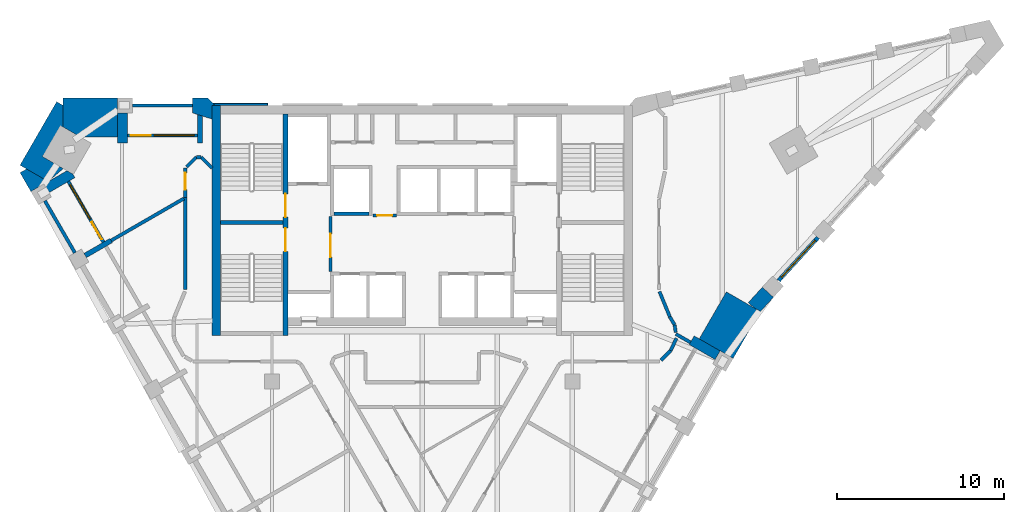
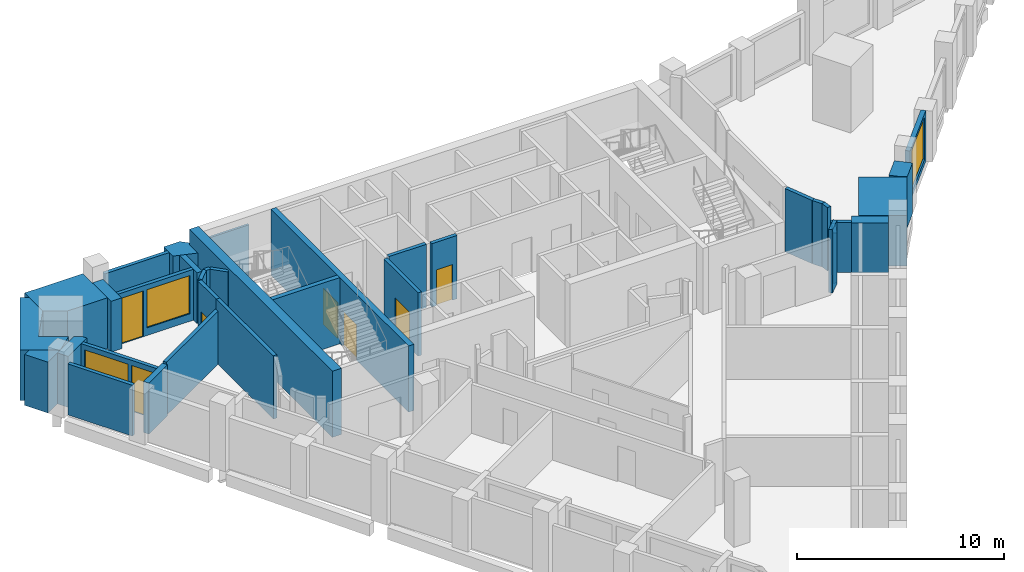
# One storey, part 5 of 8: 35 walls, 7 doors, 3 windows, 10 openings.
"""IFC4 building model written with IfcOpenShell, lengths in metres."""

from ifc_helpers import new_model, si_unit, direction, frame, frame_2d, origin, place, context, subcontext, project, spatial, polyline, rectangle, outline, extrude, material, layer, layer_set, type_object, element, fill, save


model = new_model("IFC4")

# Units and contexts
model_context = context("Model", 3, precision=1e-05, world=origin(), true_north=direction((0.0, 1.0)))
body_context = subcontext(model_context, "Body", "Model", "MODEL_VIEW")
ifc_project = project(units=[si_unit("LENGTHUNIT", "METRE"), si_unit("AREAUNIT", "SQUARE_METRE"), si_unit("VOLUMEUNIT", "CUBIC_METRE"), si_unit("PLANEANGLEUNIT", "RADIAN"), si_unit("MASSUNIT", "GRAM", prefix="KILO")], contexts=[model_context])

# Site, building, storey
site_placement = place(None, origin())
site = spatial("IfcSite", under=ifc_project, at=site_placement, CompositionType="ELEMENT")
building_placement = place(site_placement, origin())
building = spatial("IfcBuilding", under=site, at=building_placement, Name="Calabash Gate Tower", CompositionType="ELEMENT")
storey_placement = place(building_placement, frame((0.0, 0.0, 275.5)))
storey = spatial("IfcBuildingStorey", under=building, at=storey_placement, Name="L66", CompositionType="ELEMENT", Elevation=275.5)

# Walls
ifc_material_1 = material(Name="Terracotta brick masonry, exposed face", Category="masonry")
ifc_layer_1 = layer(ifc_material_1, 2.35009765625)
ifc_layer_set_1 = layer_set([ifc_layer_1], Name="Brick corner mass wall 2350")
wall_type_1 = type_object("IfcWallType", Name="Brick corner mass wall 2350", PredefinedType="SOLIDWALL", material=ifc_layer_set_1)
wall_1_placement = place(storey_placement, origin())
element("IfcWall", 1, at=wall_1_placement, inside=storey, type_object=wall_type_1, Name="Brick corner pier S19 2", PredefinedType="SOLIDWALL", context=body_context, shape_type="SweptSolid", body=[
    extrude(outline(polyline([(18.236083984375, 7.878173828125), (16.609375, 5.06103515625), (18.644775390625, 3.885986328125), (20.271240234375, 6.703125), (18.236083984375, 7.878173828125)])), origin(), (0.0, 0.0, 1.0), 2.9736328125),
])
wall_2_placement = place(storey_placement, origin())
element("IfcWall", 2, at=wall_2_placement, inside=storey, type_object=wall_type_1, Name="Brick corner pier S19 3a", PredefinedType="SOLIDWALL", context=body_context, shape_type="SweptSolid", body=[
    extrude(outline(polyline([(-20.48193359375, 17.152587890625), (-18.271484375, 17.152587890625), (-18.271484375, 18.60302734375), (-18.27197265625, 18.60302734375), (-18.27197265625, 19.50244140625), (-21.524658203125, 19.50244140625), (-21.524658203125, 17.754638671875), (-20.48193359375, 17.152587890625)])), origin(), (0.0, 0.0, 1.0), 3.0),
])
wall_3_placement = place(storey_placement, origin())
element("IfcWall", 3, at=wall_3_placement, inside=storey, type_object=wall_type_1, Name="Brick corner pier S19 3b", PredefinedType="SOLIDWALL", context=body_context, shape_type="SweptSolid", body=[
    extrude(outline(polyline([(-22.7744140625, 15.993408203125), (-21.524658203125, 17.754638671875), (-21.524658203125, 19.052490234375), (-21.914306640625, 19.277587890625), (-24.113037109375, 15.46923828125), (-22.419189453125, 14.4912109375), (-21.51611328125, 15.26708984375), (-22.7744140625, 15.993408203125)])), origin(), (0.0, 0.0, 1.0), 3.0),
])
wall_4_placement = place(storey_placement, origin())
element("IfcWall", 4, at=wall_4_placement, inside=storey, type_object=wall_type_1, Name="Brick corner pier S19 3c", PredefinedType="SOLIDWALL", context=body_context, shape_type="SweptSolid", body=[
    extrude(outline(polyline([(-21.533935546875, 15.251953125), (-22.419189453125, 14.4912109375), (-23.723388671875, 15.244140625), (-24.113037109375, 15.019287109375), (-23.4609375, 13.8896484375), (-21.42578125, 15.064697265625), (-21.533935546875, 15.251953125)])), origin(), (0.0, 0.0, 1.0), 3.0),
])
ifc_material_2 = material(Name="Terracotta brick masonry, exposed face", Category="masonry")
ifc_layer_2 = layer(ifc_material_2, 0.89990234375)
ifc_layer_set_2 = layer_set([ifc_layer_2], Name="Brick end wall 900")
wall_type_2 = type_object("IfcWallType", Name="Brick end wall 900", PredefinedType="SOLIDWALL", material=ifc_layer_set_2)
wall_5_placement = place(storey_placement, origin())
element("IfcWall", 5, at=wall_5_placement, inside=storey, type_object=wall_type_2, Name="Brick pier S19 N6.5", PredefinedType="SOLIDWALL", context=body_context, shape_type="SweptSolid", body=[
    extrude(outline(polyline([(-12.41162109375, 19.052490234375), (-12.87158203125, 19.50244140625), (-13.771484375, 19.50244140625), (-13.771484375, 18.6025390625), (-12.60009765625, 18.23193359375), (-12.60009765625, 19.052490234375), (-12.41162109375, 19.052490234375)])), origin(), (0.0, 0.0, 1.0), 3.0),
])
wall_6_placement = place(storey_placement, origin())
element("IfcWall", 6, at=wall_6_placement, inside=storey, type_object=wall_type_2, Name="Brick end wall S19 1", PredefinedType="SOLIDWALL", context=body_context, shape_type="SweptSolid", body=[
    extrude(outline(polyline([(20.394775390625, 8.15625), (19.54931640625, 7.23193359375), (19.88134765625, 6.92822265625), (20.271240234375, 6.703125), (20.24658203125, 6.66064453125), (21.058837890625, 7.548828125), (20.394775390625, 8.15625)])), origin(), (0.0, 0.0, 1.0), 3.0),
])
ifc_material_3 = material(Name="Terracotta brick masonry, exposed face", Category="masonry")
ifc_layer_3 = layer(ifc_material_3, 0.300048828125)
ifc_layer_set_3 = layer_set([ifc_layer_3], Name="Brick loggia cheek wall 300")
wall_type_3 = type_object("IfcWallType", Name="Brick loggia cheek wall 300", PredefinedType="SOLIDWALL", material=ifc_layer_set_3)
wall_7_placement = place(storey_placement, origin())
element("IfcWall", 7, at=wall_7_placement, inside=storey, type_object=wall_type_3, Name="Loggia cheek S19 SW0.0", PredefinedType="SOLIDWALL", context=body_context, shape_type="SweptSolid", body=[
    extrude(outline(polyline([(-21.295654296875, 15.1396484375), (-22.680419921875, 14.34033203125), (-22.38037109375, 13.820556640625), (-20.82275390625, 14.719970703125), (-20.94970703125, 14.93994140625), (-21.295654296875, 15.1396484375)])), origin(), (0.0, 0.0, 1.0), 3.0),
])
wall_8_placement = place(storey_placement, frame((-20.20654296875, 10.052734375, 0.0), z_axis=(0.0, 0.0, 1.0), x_axis=(0.865989075817, 0.500062916607, 0.0)))
element("IfcWall", 8, at=wall_8_placement, inside=storey, type_object=wall_type_3, Name="Loggia cheek S19 SW0.1", PredefinedType="SOLIDWALL", context=body_context, shape_type="SweptSolid", body=[
    extrude(rectangle(XDim=1.800048828125, YDim=0.300048828125, at=frame_2d((0.89990234375, 0.0))), origin(), (0.0, 0.0, 1.0), 3.0),
])
wall_9_placement = place(storey_placement, frame((17.71533203125, 4.076171875, 0.0), z_axis=(0.0, 0.0, 1.0), x_axis=(-0.866047807691, 0.499961193289, 0.0)))
element("IfcWall", 9, at=wall_9_placement, inside=storey, type_object=wall_type_3, Name="Loggia cheek S19 SE2.6", PredefinedType="SOLIDWALL", context=body_context, shape_type="SweptSolid", body=[
    extrude(rectangle(XDim=1.800048828125, YDim=0.60009765625, at=frame_2d((0.89990234375, 0.0))), origin(), (0.0, 0.0, 1.0), 2.9501953125),
])
wall_10_placement = place(storey_placement, origin())
element("IfcWall", 10, at=wall_10_placement, inside=storey, type_object=wall_type_3, Name="Loggia cheek S19 N6.5", PredefinedType="SOLIDWALL", context=body_context, shape_type="SweptSolid", body=[
    extrude(outline(polyline([(-13.4716796875, 16.802490234375), (-13.171630859375, 16.802490234375), (-13.171630859375, 18.412841796875), (-13.4716796875, 18.507568359375), (-13.4716796875, 17.152587890625), (-13.4716796875, 16.802490234375)])), origin(), (0.0, 0.0, 1.0), 3.0),
])
wall_11_placement = place(storey_placement, origin())
element("IfcWall", 11, at=wall_11_placement, inside=storey, type_object=wall_type_3, Name="Loggia cheek S19 N6.6", PredefinedType="SOLIDWALL", context=body_context, shape_type="SweptSolid", body=[
    extrude(outline(polyline([(-18.271484375, 18.6025390625), (-18.271484375, 16.802490234375), (-17.671630859375, 16.802490234375), (-17.671630859375, 18.6025390625), (-18.271484375, 18.6025390625)])), origin(), (0.0, 0.0, 1.0), 3.0),
])
ifc_material_4 = material(Name="Concrete C60/75", Category="concrete")
ifc_layer_4 = layer(ifc_material_4, 0.25)
ifc_layer_set_4 = layer_set([ifc_layer_4], Name="Core wall 250 Concrete C60/75")
wall_type_4 = type_object("IfcWallType", Name="Core wall 250 Concrete C60/75", PredefinedType="SHEAR", material=ifc_layer_set_4)
wall_12_placement = place(storey_placement, frame((-12.10009765625, 12.027587890625, 0.0), z_axis=(0.0, 0.0, 1.0), x_axis=(1.0, 0.0, 0.0)))
element("IfcWall", 12, at=wall_12_placement, inside=storey, type_object=wall_type_4, Name="Core wall Z5-MIDW L66", PredefinedType="SHEAR", context=body_context, shape_type="SweptSolid", body=[
    extrude(rectangle(XDim=3.75, YDim=0.25, at=frame_2d((1.875, 0.0))), origin(), (0.0, 0.0, 1.0), 3.89990234375),
])

# Wall, openings, doors
ifc_material_5 = material(Name="Concrete C60/75", Category="concrete")
ifc_layer_5 = layer(ifc_material_5, 0.300048828125)
ifc_layer_set_5 = layer_set([ifc_layer_5], Name="Core wall 300 Concrete C60/75")
wall_type_5 = type_object("IfcWallType", Name="Core wall 300 Concrete C60/75", PredefinedType="SHEAR", material=ifc_layer_set_5)
wall_13_placement = place(storey_placement, frame((-8.199951171875, 5.252685546875, 0.0), z_axis=(0.0, 0.0, 1.0), x_axis=(0.0, 1.0, 0.0)))
wall_13 = element("IfcWall", 13, at=wall_13_placement, inside=storey, type_object=wall_type_5, Name="Core wall Z5-PARTW L66", PredefinedType="SHEAR", context=body_context, shape_type="SweptSolid", body=[
    extrude(rectangle(XDim=13.2998046875, YDim=0.300048828125, at=frame_2d((6.64990234375, 0.0))), origin(), (0.0, 0.0, 1.0), 3.89990234375),
])
opening_1_placement = place(wall_13_placement, frame((7.10009765625, 0.0, 0.0)))
opening_1 = element("IfcOpeningElement", 14, at=opening_1_placement, cuts=wall_13, Name="Opening O11-010", PredefinedType="OPENING", context=body_context, shape_type="SweptSolid", body=[
    extrude(rectangle(XDim=1.39990234375, YDim=2.10009765625, at=frame_2d((0.699951171875, 1.050048828125))), frame((0.0, 0.159912109375, 0.0), z_axis=(0.0, -1.0, 0.0), x_axis=(1.0, 0.0, 0.0)), (0.0, 0.0, 1.0), 0.320068359375),
])
opening_2_placement = place(wall_13_placement, frame((5.050048828125, 0.0, 0.0)))
opening_2 = element("IfcOpeningElement", 15, at=opening_2_placement, cuts=wall_13, Name="Opening O11-011", PredefinedType="OPENING", context=body_context, shape_type="SweptSolid", body=[
    extrude(rectangle(XDim=1.39990234375, YDim=2.10009765625, at=frame_2d((0.699951171875, 1.050048828125))), frame((0.0, 0.159912109375, 0.0), z_axis=(0.0, -1.0, 0.0), x_axis=(1.0, 0.0, 0.0)), (0.0, 0.0, 1.0), 0.320068359375),
])
ifc_material_6 = material(Name="Steel fire door set with fire-resisting glazing", Category="steel")
door_type_1 = type_object("IfcDoorType", Name="Fire door D05 1400x2100 FD90", OperationType="NOTDEFINED", PredefinedType="DOOR", material=ifc_material_6)
door_1_placement = place(opening_1_placement, origin())
door_1 = element("IfcDoor", 16, at=door_1_placement, inside=storey, type_object=door_type_1, Name="Exit stair door ST1", OperationType="SINGLE_SWING_LEFT", OverallHeight=2.10009765625, OverallWidth=1.39990234375, PredefinedType="DOOR", context=body_context, shape_type="SweptSolid", body=[
    extrude(rectangle(XDim=1.39990234375, YDim=2.10009765625, at=frame_2d((0.699951171875, 1.050048828125))), frame((0.0, 0.02490234375, 0.0), z_axis=(0.0, -1.0, 0.0), x_axis=(1.0, 0.0, 0.0)), (0.0, 0.0, 1.0), 0.050048828125),
])
fill(opening_1, door_1)
door_2_placement = place(opening_2_placement, origin())
door_2 = element("IfcDoor", 17, at=door_2_placement, inside=storey, type_object=door_type_1, Name="Exit stair door ST2", OperationType="SINGLE_SWING_LEFT", OverallHeight=2.10009765625, OverallWidth=1.39990234375, PredefinedType="DOOR", context=body_context, shape_type="SweptSolid", body=[
    extrude(rectangle(XDim=1.39990234375, YDim=2.10009765625, at=frame_2d((0.699951171875, 1.050048828125))), frame((0.0, 0.02490234375, 0.0), z_axis=(0.0, -1.0, 0.0), x_axis=(1.0, 0.0, 0.0)), (0.0, 0.0, 1.0), 0.050048828125),
])
fill(opening_2, door_2)

# Walls
ifc_material_7 = material(Name="Concrete C60/75", Category="concrete")
ifc_layer_6 = layer(ifc_material_7, 0.5)
ifc_layer_set_6 = layer_set([ifc_layer_6], Name="Core wall 500 Concrete C60/75")
wall_type_6 = type_object("IfcWallType", Name="Core wall 500 Concrete C60/75", PredefinedType="SHEAR", material=ifc_layer_set_6)
wall_14_placement = place(storey_placement, frame((-12.35009765625, 5.252685546875, 0.0), z_axis=(0.0, 0.0, 1.0), x_axis=(0.0, 1.0, 0.0)))
element("IfcWall", 18, at=wall_14_placement, inside=storey, type_object=wall_type_6, Name="Core wall Z5-COLW L66", PredefinedType="SHEAR", context=body_context, shape_type="SweptSolid", body=[
    extrude(rectangle(XDim=13.7998046875, YDim=0.5, at=frame_2d((6.89990234375, 0.0))), origin(), (0.0, 0.0, 1.0), 3.89990234375),
])
ifc_material_8 = material(Name="Gypsum board on steel studs, mineral wool", Category="steel")
ifc_layer_7 = layer(ifc_material_8, 0.199951171875)
ifc_layer_set_7 = layer_set([ifc_layer_7], Name="Partition 200 gypsum board EI 60")
wall_type_7 = type_object("IfcWallType", Name="Partition 200 gypsum board EI 60", PredefinedType="PARTITIONING", material=ifc_layer_set_7)
wall_15_placement = place(storey_placement, frame((14.310791015625, 3.770263671875, 0.0), z_axis=(0.0, 0.0, 1.0), x_axis=(0.707106781187, 0.707106781187, 0.0)))
element("IfcWall", 19, at=wall_15_placement, inside=storey, type_object=wall_type_7, Name="Partition", PredefinedType="PARTITIONING", context=body_context, shape_type="SweptSolid", body=[
    extrude(rectangle(XDim=0.833740234375, YDim=0.199951171875, at=frame_2d((0.4169921875, 0.0))), origin(), (0.0, 0.0, 1.0), 3.72998046875),
])
wall_16_placement = place(storey_placement, frame((15.208740234375, 5.347900390625, 0.0), z_axis=(0.0, 0.0, 1.0), x_axis=(0.866911543868, -0.498462009695, 0.0)))
element("IfcWall", 20, at=wall_16_placement, inside=storey, type_object=wall_type_7, Name="Partition", PredefinedType="PARTITIONING", context=body_context, shape_type="SweptSolid", body=[
    extrude(rectangle(XDim=1.006591796875, YDim=0.199951171875, at=frame_2d((0.50341796875, 0.0))), origin(), (0.0, 0.0, 1.0), 2.9501953125),
])
wall_17_placement = place(storey_placement, frame((14.900390625, 4.35986328125, 0.0), z_axis=(0.0, 0.0, 1.0), x_axis=(0.423249280481, 0.906013270638, 0.0)))
element("IfcWall", 21, at=wall_17_placement, inside=storey, type_object=wall_type_7, Name="Partition", PredefinedType="PARTITIONING", context=body_context, shape_type="SweptSolid", body=[
    extrude(rectangle(XDim=0.80810546875, YDim=0.199951171875, at=frame_2d((0.404052734375, 0.0))), origin(), (0.0, 0.0, 1.0), 2.9501953125),
])
wall_18_placement = place(storey_placement, frame((15.137451171875, 5.88916015625, 0.0), z_axis=(0.0, 0.0, 1.0), x_axis=(0.133422383108, -0.991059265476, 0.0)))
element("IfcWall", 22, at=wall_18_placement, inside=storey, type_object=wall_type_7, Name="Partition", PredefinedType="PARTITIONING", context=body_context, shape_type="SweptSolid", body=[
    extrude(rectangle(XDim=0.444580078125, YDim=0.199951171875, at=frame_2d((0.22216796875, 0.0))), origin(), (0.0, 0.0, 1.0), 3.72998046875),
])
wall_19_placement = place(storey_placement, frame((14.8505859375, 6.37353515625, 0.0), z_axis=(0.0, 0.0, 1.0), x_axis=(0.509576505793, -0.860425351058, 0.0)))
element("IfcWall", 23, at=wall_19_placement, inside=storey, type_object=wall_type_7, Name="Partition", PredefinedType="PARTITIONING", context=body_context, shape_type="SweptSolid", body=[
    extrude(rectangle(XDim=0.56298828125, YDim=0.199951171875, at=frame_2d((0.281494140625, 0.0))), origin(), (0.0, 0.0, 1.0), 3.72998046875),
])
wall_20_placement = place(storey_placement, frame((14.22509765625, 7.892822265625, 0.0), z_axis=(0.0, 0.0, 1.0), x_axis=(0.380697489052, -0.924699638709, 0.0)))
element("IfcWall", 24, at=wall_20_placement, inside=storey, type_object=wall_type_7, Name="Partition", PredefinedType="PARTITIONING", context=body_context, shape_type="SweptSolid", body=[
    extrude(rectangle(XDim=1.64306640625, YDim=0.199951171875, at=frame_2d((0.821533203125, 0.0))), origin(), (0.0, 0.0, 1.0), 3.72998046875),
])
wall_21_placement = place(storey_placement, frame((-14.201904296875, 13.51953125, 0.0), z_axis=(0.0, 0.0, 1.0), x_axis=(0.000266228859, -0.999999964561, 0.0)))
element("IfcWall", 25, at=wall_21_placement, inside=storey, type_object=wall_type_7, Name="Partition", PredefinedType="PARTITIONING", context=body_context, shape_type="SweptSolid", body=[
    extrude(rectangle(XDim=5.502197265625, YDim=0.199951171875, at=frame_2d((2.7509765625, 0.0))), origin(), (0.0, 0.0, 1.0), 3.72998046875),
])
wall_22_placement = place(storey_placement, frame((-18.647705078125, 10.952880859375, 0.0), z_axis=(0.0, 0.0, 1.0), x_axis=(0.866005524168, 0.500034430925, 0.0)))
element("IfcWall", 26, at=wall_22_placement, inside=storey, type_object=wall_type_7, Name="Partition", PredefinedType="PARTITIONING", context=body_context, shape_type="SweptSolid", body=[
    extrude(rectangle(XDim=5.035400390625, YDim=0.199951171875, at=frame_2d((2.517578125, 0.0))), origin(), (0.0, 0.0, 1.0), 3.1279296875),
])

# Wall, opening, door
wall_23_placement = place(storey_placement, frame((-14.200439453125, 13.5205078125, 0.0), z_axis=(0.0, 0.0, 1.0), x_axis=(0.0, 1.0, 0.0)))
wall_23 = element("IfcWall", 27, at=wall_23_placement, inside=storey, type_object=wall_type_7, Name="Partition", PredefinedType="PARTITIONING", context=body_context, shape_type="SweptSolid", body=[
    extrude(rectangle(XDim=1.7724609375, YDim=0.199951171875, at=frame_2d((0.88623046875, 0.0))), origin(), (0.0, 0.0, 1.0), 3.72998046875),
])
opening_3_placement = place(wall_23_placement, frame((0.485107421875, 0.0, 0.0)))
opening_3 = element("IfcOpeningElement", 28, at=opening_3_placement, cuts=wall_23, Name="Opening 65-66-006", PredefinedType="OPENING", context=body_context, shape_type="SweptSolid", body=[
    extrude(rectangle(XDim=1.0, YDim=2.10009765625, at=frame_2d((0.5, 1.050048828125))), frame((0.0, 0.10986328125, 0.0), z_axis=(0.0, -1.0, 0.0), x_axis=(1.0, 0.0, 0.0)), (0.0, 0.0, 1.0), 0.219970703125),
])
ifc_material_9 = material(Name="Steel fire door set with fire-resisting glazing", Category="steel")
door_type_2 = type_object("IfcDoorType", Name="LD2 Meeting room door 1000x2100", OperationType="NOTDEFINED", PredefinedType="DOOR", material=ifc_material_9)
door_3_placement = place(opening_3_placement, origin())
door_3 = element("IfcDoor", 29, at=door_3_placement, inside=storey, type_object=door_type_2, Name="Meeting room door", OperationType="SINGLE_SWING_LEFT", OverallHeight=2.10009765625, OverallWidth=1.0, PredefinedType="DOOR", context=body_context, shape_type="SweptSolid", body=[
    extrude(rectangle(XDim=1.0, YDim=2.10009765625, at=frame_2d((0.5, 1.050048828125))), frame((0.0, 0.02490234375, 0.0), z_axis=(0.0, -1.0, 0.0), x_axis=(1.0, 0.0, 0.0)), (0.0, 0.0, 1.0), 0.050048828125),
])
fill(opening_3, door_3)

# Walls
wall_24_placement = place(storey_placement, frame((-14.129638671875, 15.363525390625, 0.0), z_axis=(0.0, 0.0, 1.0), x_axis=(0.707106781187, 0.707106781187, 0.0)))
element("IfcWall", 30, at=wall_24_placement, inside=storey, type_object=wall_type_7, Name="Partition", PredefinedType="PARTITIONING", context=body_context, shape_type="SweptSolid", body=[
    extrude(rectangle(XDim=0.833740234375, YDim=0.199951171875, at=frame_2d((0.4169921875, 0.0))), origin(), (0.0, 0.0, 1.0), 3.72998046875),
])
wall_25_placement = place(storey_placement, frame((-13.5400390625, 15.953125, 0.0), z_axis=(0.0, 0.0, 1.0), x_axis=(0.99999962061, -0.000871079809, 0.0)))
element("IfcWall", 31, at=wall_25_placement, inside=storey, type_object=wall_type_7, Name="Partition", PredefinedType="PARTITIONING", context=body_context, shape_type="SweptSolid", body=[
    extrude(rectangle(XDim=0.2802734375, YDim=0.199951171875, at=frame_2d((0.14013671875, 0.0))), origin(), (0.0, 0.0, 1.0), 3.72998046875),
])
wall_26_placement = place(storey_placement, frame((-13.259765625, 15.952880859375, 0.0), z_axis=(0.0, 0.0, 1.0), x_axis=(0.708285399161, -0.705926195389, 0.0)))
element("IfcWall", 32, at=wall_26_placement, inside=storey, type_object=wall_type_7, Name="Partition", PredefinedType="PARTITIONING", context=body_context, shape_type="SweptSolid", body=[
    extrude(rectangle(XDim=0.931396484375, YDim=0.199951171875, at=frame_2d((0.4658203125, 0.0))), origin(), (0.0, 0.0, 1.0), 3.72998046875),
])

# Wall, opening, window
ifc_material_10 = material(Name="Aluminium framed window wall with insulated spandrel", Category="aluminium")
ifc_layer_8 = layer(ifc_material_10, 0.25)
ifc_layer_set_8 = layer_set([ifc_layer_8], Name="Prow window wall 250")
wall_type_8 = type_object("IfcWallType", Name="Prow window wall 250", PredefinedType="ELEMENTEDWALL", material=ifc_layer_set_8)
wall_27_placement = place(storey_placement, frame((21.367919921875, 8.5537109375, 0.0), z_axis=(0.0, 0.0, 1.0), x_axis=(0.67487449122, 0.737932531537, 0.0)))
wall_27 = element("IfcWall", 33, at=wall_27_placement, inside=storey, type_object=wall_type_8, Name="Prow window wall S19 wedge3.1", PredefinedType="ELEMENTEDWALL", context=body_context, shape_type="SweptSolid", body=[
    extrude(rectangle(XDim=3.5, YDim=0.25, at=frame_2d((1.75, 0.0))), origin(), (0.0, 0.0, 1.0), 3.0),
])
opening_4_placement = place(wall_27_placement, frame((0.25, 0.0, 0.300048828125)))
opening_4 = element("IfcOpeningElement", 34, at=opening_4_placement, cuts=wall_27, Name="Opening WP2", PredefinedType="OPENING", context=body_context, shape_type="SweptSolid", body=[
    extrude(rectangle(XDim=3.0, YDim=2.5, at=frame_2d((1.5, 1.25))), frame((0.0, 0.135009765625, 0.0), z_axis=(0.0, -1.0, 0.0), x_axis=(1.0, 0.0, 0.0)), (0.0, 0.0, 1.0), 0.27001953125),
])
ifc_material_11 = material(Name="Anodised aluminium frame, bronze finish, impact-rated laminated clear glazing", Category="aluminium")
window_type_1 = type_object("IfcWindowType", Name="Window WP2 3000x2500", PartitioningType="DOUBLE_PANEL_VERTICAL", PredefinedType="WINDOW", material=ifc_material_11)
window_1_placement = place(opening_4_placement, origin())
window_1 = element("IfcWindow", 35, at=window_1_placement, inside=storey, type_object=window_type_1, Name="Prow window WP2 S19 wedge3.1", OverallHeight=2.5, OverallWidth=3.0, PartitioningType="SINGLE_PANEL", PredefinedType="WINDOW", context=body_context, shape_type="SweptSolid", body=[
    extrude(rectangle(XDim=3.0, YDim=2.5, at=frame_2d((1.5, 1.25))), frame((0.0, 0.030029296875, 0.0), z_axis=(0.0, -1.0, 0.0), x_axis=(1.0, 0.0, 0.0)), (0.0, 0.0, 1.0), 0.06005859375),
])
fill(opening_4, window_1)

# Wall, opening, door
ifc_material_12 = material(Name="Concrete C40/50", Category="concrete")
ifc_layer_9 = layer(ifc_material_12, 0.199951171875)
ifc_layer_set_9 = layer_set([ifc_layer_9], Name="Shaft wall 200 Concrete C40/50")
wall_type_9 = type_object("IfcWallType", Name="Shaft wall 200 Concrete C40/50", PredefinedType="SOLIDWALL", material=ifc_layer_set_9)
wall_28_placement = place(storey_placement, frame((-5.5, 9.1025390625, 0.0), z_axis=(0.0, 0.0, 1.0), x_axis=(0.0, 1.0, 0.0)))
wall_28 = element("IfcWall", 36, at=wall_28_placement, inside=storey, type_object=wall_type_9, Name="Shaft wall", PredefinedType="SOLIDWALL", context=body_context, shape_type="SweptSolid", body=[
    extrude(rectangle(XDim=3.300048828125, YDim=0.199951171875, at=frame_2d((1.64990234375, 0.0))), origin(), (0.0, 0.0, 1.0), 3.72998046875),
])
opening_5_placement = place(wall_28_placement, frame((0.85009765625, 0.0, 0.0)))
opening_5 = element("IfcOpeningElement", 37, at=opening_5_placement, cuts=wall_28, Name="Opening O11-003", PredefinedType="OPENING", context=body_context, shape_type="SweptSolid", body=[
    extrude(rectangle(XDim=1.39990234375, YDim=2.10009765625, at=frame_2d((0.699951171875, 1.050048828125))), frame((0.0, 0.10986328125, 0.0), z_axis=(0.0, -1.0, 0.0), x_axis=(1.0, 0.0, 0.0)), (0.0, 0.0, 1.0), 0.219970703125),
])
door_4_placement = place(opening_5_placement, origin())
door_4 = element("IfcDoor", 38, at=door_4_placement, inside=storey, type_object=door_type_1, Name="Firefighting Lobby W door", OperationType="SINGLE_SWING_RIGHT", OverallHeight=2.10009765625, OverallWidth=1.39990234375, PredefinedType="DOOR", context=body_context, shape_type="SweptSolid", body=[
    extrude(rectangle(XDim=1.39990234375, YDim=2.10009765625, at=frame_2d((0.699951171875, 1.050048828125))), frame((0.0, 0.02490234375, 0.0), z_axis=(0.0, -1.0, 0.0), x_axis=(1.0, 0.0, 0.0)), (0.0, 0.0, 1.0), 0.050048828125),
])
fill(opening_5, door_4)

wall_29_placement = place(storey_placement, frame((-2.949951171875, 12.45263671875, 0.0), z_axis=(0.0, 0.0, 1.0), x_axis=(1.0, 0.0, 0.0)))
wall_29 = element("IfcWall", 39, at=wall_29_placement, inside=storey, type_object=wall_type_9, Name="Shaft wall", PredefinedType="SOLIDWALL", context=body_context, shape_type="SweptSolid", body=[
    extrude(rectangle(XDim=1.39990234375, YDim=0.199951171875, at=frame_2d((0.699951171875, 0.0))), origin(), (0.0, 0.0, 1.0), 3.72998046875),
])
opening_6_placement = place(wall_29_placement, frame((0.25, 0.0, 0.0)))
opening_6 = element("IfcOpeningElement", 40, at=opening_6_placement, cuts=wall_29, Name="Opening O11-001", PredefinedType="OPENING", context=body_context, shape_type="SweptSolid", body=[
    extrude(rectangle(XDim=0.89990234375, YDim=2.10009765625, at=frame_2d((0.449951171875, 1.050048828125))), frame((0.0, 0.10986328125, 0.0), z_axis=(0.0, -1.0, 0.0), x_axis=(1.0, 0.0, 0.0)), (0.0, 0.0, 1.0), 0.219970703125),
])
ifc_material_13 = material(Name="Steel fire door set with fire-resisting glazing", Category="steel")
door_type_3 = type_object("IfcDoorType", Name="Fire door D06 900x2100 FD60", OperationType="NOTDEFINED", PredefinedType="DOOR", material=ifc_material_13)
door_5_placement = place(opening_6_placement, origin())
door_5 = element("IfcDoor", 41, at=door_5_placement, inside=storey, type_object=door_type_3, Name="Service Corridor door", OperationType="SINGLE_SWING_RIGHT", OverallHeight=2.10009765625, OverallWidth=0.89990234375, PredefinedType="DOOR", context=body_context, shape_type="SweptSolid", body=[
    extrude(rectangle(XDim=0.89990234375, YDim=2.10009765625, at=frame_2d((0.449951171875, 1.050048828125))), frame((0.0, 0.02490234375, 0.0), z_axis=(0.0, -1.0, 0.0), x_axis=(1.0, 0.0, 0.0)), (0.0, 0.0, 1.0), 0.050048828125),
])
fill(opening_6, door_5)

# Walls
wall_30_placement = place(storey_placement, frame((-5.300048828125, 12.552490234375, 0.0), z_axis=(0.0, 0.0, 1.0), x_axis=(1.0, 0.0, 0.0)))
element("IfcWall", 42, at=wall_30_placement, inside=storey, type_object=wall_type_9, Name="Shaft wall", PredefinedType="SOLIDWALL", context=body_context, shape_type="SweptSolid", body=[
    extrude(rectangle(XDim=2.10009765625, YDim=0.199951171875, at=frame_2d((1.050048828125, 0.0))), origin(), (0.0, 0.0, 1.0), 3.72998046875),
])
ifc_material_14 = material(Name="Terracotta brick masonry, perforated", Category="masonry")
ifc_layer_10 = layer(ifc_material_14, 0.1201171875)
ifc_layer_set_10 = layer_set([ifc_layer_10], Name="Terracotta jaali cladding A 120")
wall_type_10 = type_object("IfcWallType", Name="Terracotta jaali cladding A 120", PredefinedType="SOLIDWALL", material=ifc_layer_set_10)
wall_31_placement = place(storey_placement, origin())
element("IfcWall", 43, at=wall_31_placement, inside=storey, type_object=wall_type_10, Name="Jaali cladding S19 N6.5", PredefinedType="SOLIDWALL", context=body_context, shape_type="SweptSolid", body=[
    extrude(outline(polyline([(-12.4111328125, 19.052490234375), (-9.271484375, 19.052490234375), (-9.271484375, 19.172607421875), (-12.533447265625, 19.172607421875), (-12.4111328125, 19.052490234375)])), origin(), (0.0, 0.0, 1.0), 3.0),
])
ifc_material_15 = material(Name="Terracotta brick masonry, perforated", Category="masonry")
ifc_layer_11 = layer(ifc_material_15, 0.199951171875)
ifc_layer_set_11 = layer_set([ifc_layer_11], Name="Terracotta jaali screen A")
wall_type_11 = type_object("IfcWallType", Name="Terracotta jaali screen A", PredefinedType="SOLIDWALL", material=ifc_layer_set_11)
for number, where, z_axis, x_axis, name in (
    (44, (-22.621337890625, 13.335205078125, 0.0), (0.0, 0.0, 1.0), (0.500012057535, -0.866018442252, 0.0), "SCREEN A S19 SW0.1"),
    (45, (-13.771484375, 19.052490234375, 0.0), (0.0, 0.0, 1.0), (-1.0, 0.0, 0.0), "SCREEN A S19 N6.6"),
):
    element("IfcWall", number, at=place(storey_placement, frame(where, z_axis=z_axis, x_axis=x_axis)), inside=storey, type_object=wall_type_11, Name=name, PredefinedType="SOLIDWALL", context=body_context, shape_type="SweptSolid", body=[
        extrude(rectangle(XDim=3.60009765625, YDim=0.199951171875, at=frame_2d((1.800048828125, 0.0))), origin(), (0.0, 0.0, 1.0), 3.0),
    ])

# Wall, openings, door, window
ifc_material_16 = material(Name="Aluminium framed window wall with insulated spandrel", Category="aluminium")
ifc_layer_12 = layer(ifc_material_16, 0.199951171875)
ifc_layer_set_12 = layer_set([ifc_layer_12], Name="Window wall 200")
wall_type_12 = type_object("IfcWallType", Name="Window wall 200", PredefinedType="ELEMENTEDWALL", material=ifc_layer_set_12)
wall_32_placement = place(storey_placement, frame((-21.21240234375, 14.4951171875, 0.0), z_axis=(0.0, 0.0, 1.0), x_axis=(0.500002543286, -0.866023935413, 0.0)))
wall_32 = element("IfcWall", 46, at=wall_32_placement, inside=storey, type_object=wall_type_12, Name="Window wall S19 SW0.1", PredefinedType="ELEMENTEDWALL", context=body_context, shape_type="SweptSolid", body=[
    extrude(rectangle(XDim=4.2001953125, YDim=0.199951171875, at=frame_2d((2.10009765625, 0.0))), origin(), (0.0, 0.0, 1.0), 3.0),
])
opening_7_placement = place(wall_32_placement, frame((0.199951171875, 0.0, 0.449951171875)))
opening_7 = element("IfcOpeningElement", 47, at=opening_7_placement, cuts=wall_32, Name="Opening OW1", PredefinedType="OPENING", context=body_context, shape_type="SweptSolid", body=[
    extrude(rectangle(XDim=2.39990234375, YDim=2.25, at=frame_2d((1.199951171875, 1.125))), frame((0.0, 0.10986328125, 0.0), z_axis=(0.0, -1.0, 0.0), x_axis=(1.0, 0.0, 0.0)), (0.0, 0.0, 1.0), 0.219970703125),
])
opening_8_placement = place(wall_32_placement, frame((2.800048828125, 0.0, 0.0)))
opening_8 = element("IfcOpeningElement", 48, at=opening_8_placement, cuts=wall_32, Name="Opening O11-018", PredefinedType="OPENING", context=body_context, shape_type="SweptSolid", body=[
    extrude(rectangle(XDim=1.199951171875, YDim=2.699951171875, at=frame_2d((0.60009765625, 1.35009765625))), frame((0.0, 0.10986328125, 0.0), z_axis=(0.0, -1.0, 0.0), x_axis=(1.0, 0.0, 0.0)), (0.0, 0.0, 1.0), 0.219970703125),
])
ifc_material_17 = material(Name="Anodised aluminium frame, bronze finish, impact-rated laminated clear glazing", Category="aluminium")
door_type_4 = type_object("IfcDoorType", Name="Loggia door DO1 1200x2700", OperationType="SLIDING_TO_LEFT", PredefinedType="DOOR", material=ifc_material_17)
door_6_placement = place(opening_8_placement, origin())
door_6 = element("IfcDoor", 49, at=door_6_placement, inside=storey, type_object=door_type_4, Name="Loggia door S19 SW0.1", OperationType="SINGLE_SWING_LEFT", OverallHeight=2.699951171875, OverallWidth=1.199951171875, PredefinedType="DOOR", context=body_context, shape_type="SweptSolid", body=[
    extrude(rectangle(XDim=1.199951171875, YDim=2.699951171875, at=frame_2d((0.60009765625, 1.35009765625))), frame((0.0, 0.02490234375, 0.0), z_axis=(0.0, -1.0, 0.0), x_axis=(1.0, 0.0, 0.0)), (0.0, 0.0, 1.0), 0.050048828125),
])
fill(opening_8, door_6)
ifc_material_18 = material(Name="Anodised aluminium frame, bronze finish, impact-rated laminated clear glazing", Category="aluminium")
window_type_2 = type_object("IfcWindowType", Name="Window OW1 2400x2250", PartitioningType="DOUBLE_PANEL_VERTICAL", PredefinedType="WINDOW", material=ifc_material_18)
window_2_placement = place(opening_7_placement, origin())
window_2 = element("IfcWindow", 50, at=window_2_placement, inside=storey, type_object=window_type_2, Name="Window OW1 S19 SW0.1", OverallHeight=2.25, OverallWidth=2.39990234375, PartitioningType="SINGLE_PANEL", PredefinedType="WINDOW", context=body_context, shape_type="SweptSolid", body=[
    extrude(rectangle(XDim=2.39990234375, YDim=2.25, at=frame_2d((1.199951171875, 1.125))), frame((0.0, 0.030029296875, 0.0), z_axis=(0.0, -1.0, 0.0), x_axis=(1.0, 0.0, 0.0)), (0.0, 0.0, 1.0), 0.06005859375),
])
fill(opening_7, window_2)

wall_33_placement = place(storey_placement, frame((-13.4716796875, 17.25244140625, 0.0), z_axis=(0.0, 0.0, 1.0), x_axis=(-1.0, 0.0, 0.0)))
wall_33 = element("IfcWall", 51, at=wall_33_placement, inside=storey, type_object=wall_type_12, Name="Window wall S19 N6.6", PredefinedType="ELEMENTEDWALL", context=body_context, shape_type="SweptSolid", body=[
    extrude(rectangle(XDim=4.199951171875, YDim=0.199951171875, at=frame_2d((2.10009765625, 0.0))), origin(), (0.0, 0.0, 1.0), 3.0),
])
opening_9_placement = place(wall_33_placement, frame((0.199951171875, 0.0, 0.449951171875)))
opening_9 = element("IfcOpeningElement", 52, at=opening_9_placement, cuts=wall_33, Name="Opening OW1", PredefinedType="OPENING", context=body_context, shape_type="SweptSolid", body=[
    extrude(rectangle(XDim=2.39990234375, YDim=2.25, at=frame_2d((1.199951171875, 1.125))), frame((0.0, 0.10986328125, 0.0), z_axis=(0.0, -1.0, 0.0), x_axis=(1.0, 0.0, 0.0)), (0.0, 0.0, 1.0), 0.219970703125),
])
opening_10_placement = place(wall_33_placement, frame((2.800048828125, 0.0, 0.0)))
opening_10 = element("IfcOpeningElement", 53, at=opening_10_placement, cuts=wall_33, Name="Opening O11-014", PredefinedType="OPENING", context=body_context, shape_type="SweptSolid", body=[
    extrude(rectangle(XDim=1.199951171875, YDim=2.699951171875, at=frame_2d((0.60009765625, 1.35009765625))), frame((0.0, 0.10986328125, 0.0), z_axis=(0.0, -1.0, 0.0), x_axis=(1.0, 0.0, 0.0)), (0.0, 0.0, 1.0), 0.219970703125),
])
door_7_placement = place(opening_10_placement, origin())
door_7 = element("IfcDoor", 54, at=door_7_placement, inside=storey, type_object=door_type_4, Name="Loggia door S19 N6.6", OperationType="SINGLE_SWING_LEFT", OverallHeight=2.699951171875, OverallWidth=1.199951171875, PredefinedType="DOOR", context=body_context, shape_type="SweptSolid", body=[
    extrude(rectangle(XDim=1.199951171875, YDim=2.699951171875, at=frame_2d((0.60009765625, 1.35009765625))), frame((0.0, 0.02490234375, 0.0), z_axis=(0.0, -1.0, 0.0), x_axis=(1.0, 0.0, 0.0)), (0.0, 0.0, 1.0), 0.050048828125),
])
fill(opening_10, door_7)
window_3_placement = place(opening_9_placement, origin())
window_3 = element("IfcWindow", 55, at=window_3_placement, inside=storey, type_object=window_type_2, Name="Window OW1 S19 N6.6", OverallHeight=2.25, OverallWidth=2.39990234375, PartitioningType="SINGLE_PANEL", PredefinedType="WINDOW", context=body_context, shape_type="SweptSolid", body=[
    extrude(rectangle(XDim=2.39990234375, YDim=2.25, at=frame_2d((1.199951171875, 1.125))), frame((0.0, 0.030029296875, 0.0), z_axis=(0.0, -1.0, 0.0), x_axis=(1.0, 0.0, 0.0)), (0.0, 0.0, 1.0), 0.06005859375),
])
fill(opening_9, window_3)

save(model, "model.ifc")
